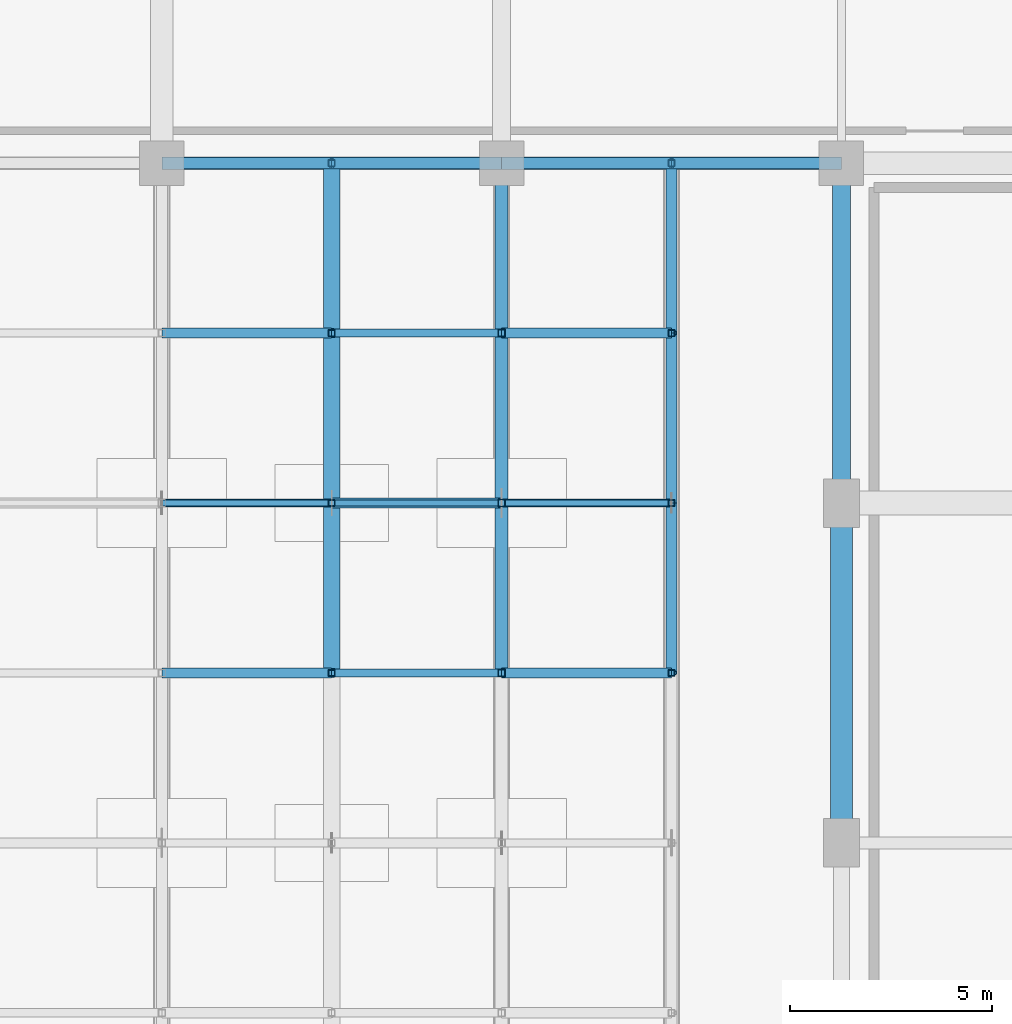
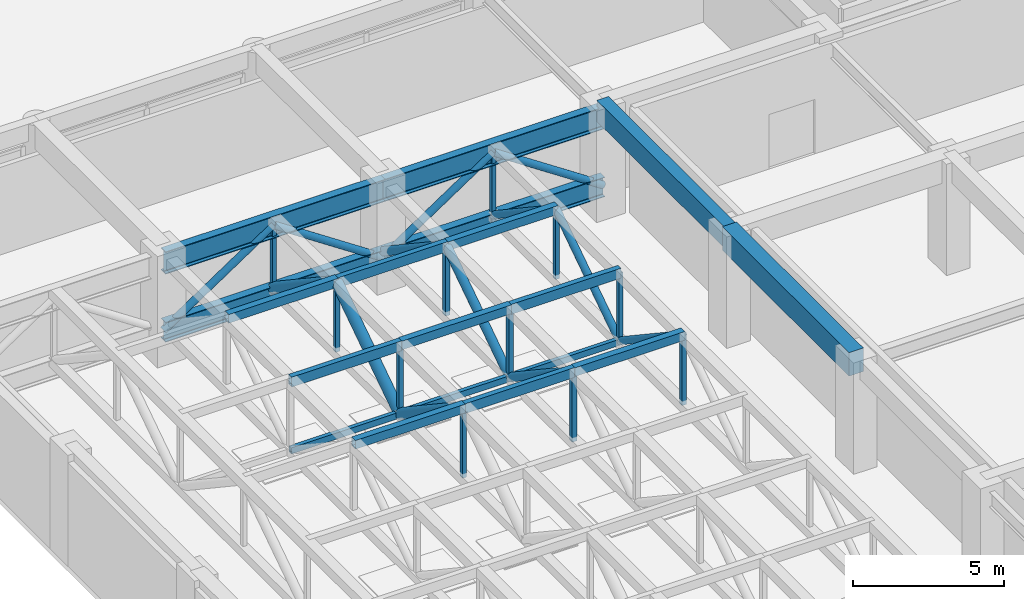
# One storey, part 25 of 47: 36 members, 6 beams.
"""IFC4 building model written with IfcOpenShell, lengths in metres."""

import ifcopenshell
import ifcopenshell.guid

model = None  # the IFC model being written
_history = None  # IfcOwnerHistory: only IFC2X3 demands one
_inside = {}  # id of a spatial element -> (the spatial element, [elements in it])
_under = {}  # id of a project, library or spatial element -> (it, [spatial elements below it])
_declared = {}  # id of a project -> (the project, [libraries it declares])
_typed = {}  # id of a type object -> (the type object, [elements of that type])
_made_of = {}  # id of a material, layer set ... -> (it, [elements and type objects made of it])


def new_model(schema):
    """Start an empty IFC model of exactly this schema.

    Asked for "IFC4X3", IfcOpenShell would pick the latest addendum, in which some entities
    have other attributes; the version numbers below select the first issue.
    IFC2X3 requires an IfcOwnerHistory on every rooted entity: one is made here for all.
    """
    global model, _history
    if schema == "IFC4X3":
        model = ifcopenshell.file(schema_version=(4, 3, 0, 0))
    else:
        model = ifcopenshell.file(schema=schema)
    _inside.clear()
    _under.clear()
    _declared.clear()
    _typed.clear()
    _made_of.clear()
    _history = None
    if model.schema == "IFC2X3":
        org = make("IfcOrganization", Name="unknown")
        user = make(
            "IfcPersonAndOrganization",
            ThePerson=make("IfcPerson", FamilyName="unknown"),
            TheOrganization=org,
        )
        app = make(
            "IfcApplication",
            ApplicationDeveloper=org,
            Version="unknown",
            ApplicationFullName="unknown",
            ApplicationIdentifier="unknown",
        )
        _history = make(
            "IfcOwnerHistory",
            OwningUser=user,
            OwningApplication=app,
            ChangeAction="ADDED",
            CreationDate=0,
        )
    return model


def make(cls, **values):
    """One entity of the class cls with the attributes given. An attribute that is None is left unset."""
    return model.create_entity(
        cls, **{name: value for name, value in values.items() if value is not None}
    )


def rooted(cls, **values):
    """An entity with a GlobalId (a new one), such as an element, a storey or a relation."""
    return make(cls, GlobalId=ifcopenshell.guid.new(), OwnerHistory=_history, **values)


def si_unit(unit_type, name, prefix=None):
    """IfcSIUnit, for example si_unit("LENGTHUNIT", "METRE", prefix="MILLI")."""
    return make("IfcSIUnit", UnitType=unit_type, Prefix=prefix, Name=name)


def assignment(units):
    """IfcUnitAssignment: the units of a project."""
    return None if units is None else make("IfcUnitAssignment", Units=units)


def point(xyz):
    """IfcCartesianPoint."""
    return None if xyz is None else make("IfcCartesianPoint", Coordinates=xyz)


def direction(xyz):
    """IfcDirection."""
    return None if xyz is None else make("IfcDirection", DirectionRatios=xyz)


def frame(location, z_axis=None, x_axis=None):
    """IfcAxis2Placement3D, a coordinate frame: its origin and axes. An axis left out is left unset."""
    return make(
        "IfcAxis2Placement3D",
        Location=point(location),
        Axis=direction(z_axis),
        RefDirection=direction(x_axis),
    )


def frame_2d(location, x_axis=None):
    """IfcAxis2Placement2D, a coordinate frame in the plane: its origin and x axis."""
    return make(
        "IfcAxis2Placement2D", Location=point(location), RefDirection=direction(x_axis)
    )


def origin():
    """The frame at (0, 0, 0) with its axes left unset."""
    return frame((0.0, 0.0, 0.0))


def origin_2d():
    """The frame at (0, 0) in the plane with its x axis left unset."""
    return frame_2d((0.0, 0.0))


def place(relative_to, where):
    """IfcLocalPlacement: puts the frame where relative to a parent placement (None: the world)."""
    return make(
        "IfcLocalPlacement", PlacementRelTo=relative_to, RelativePlacement=where
    )


def context(
    kind, dimensions, precision=None, world=None, true_north=None, identifier=None
):
    """IfcGeometricRepresentationContext, for example the 3D "Model" context."""
    return make(
        "IfcGeometricRepresentationContext",
        ContextIdentifier=identifier,
        ContextType=kind,
        CoordinateSpaceDimension=dimensions,
        Precision=precision,
        WorldCoordinateSystem=world,
        TrueNorth=true_north,
    )


def subcontext(parent, identifier, kind, view, scale=None):
    """IfcGeometricRepresentationSubContext, for example "Body" below "Model"."""
    return make(
        "IfcGeometricRepresentationSubContext",
        ContextIdentifier=identifier,
        ContextType=kind,
        ParentContext=parent,
        TargetScale=scale,
        TargetView=view,
    )


def project(units=None, contexts=None):
    """IfcProject with its units and contexts."""
    return rooted(
        "IfcProject",
        Name="project",
        RepresentationContexts=contexts,
        UnitsInContext=assignment(units),
    )


def spatial(cls, under=None, at=None, **own):
    """A site, building, storey or space (cls), placed at a placement, below another one or the project."""
    s = rooted(cls, ObjectPlacement=at, **own)
    if under is not None:
        _under.setdefault(under.id(), (under, []))[1].append(s)
    return s


def profile(cls, at=None, kind="AREA", **sizes):
    """A parametric profile (cls). Its sizes go by their IFC names, for example OverallWidth=200.0."""
    return make(cls, ProfileType=kind, Position=at, **sizes)


def rectangle(**sizes):
    """IfcRectangleProfileDef."""
    return profile("IfcRectangleProfileDef", **sizes)


def hollow_rectangle(**sizes):
    """IfcRectangleHollowProfileDef."""
    return profile("IfcRectangleHollowProfileDef", **sizes)


def hollow_circle(**sizes):
    """IfcCircleHollowProfileDef."""
    return profile("IfcCircleHollowProfileDef", **sizes)


def i_section(**sizes):
    """IfcIShapeProfileDef."""
    return profile("IfcIShapeProfileDef", **sizes)


def extrude(swept, where, along, depth):
    """IfcExtrudedAreaSolid: the profile swept, set in the frame where, extruded along a direction by depth."""
    return make(
        "IfcExtrudedAreaSolid",
        SweptArea=swept,
        Position=where,
        ExtrudedDirection=direction(along),
        Depth=depth,
    )


def shape(context_of_items, identifier, shape_type, items):
    """IfcShapeRepresentation: the items that make up one representation, for example the "Body"."""
    return make(
        "IfcShapeRepresentation",
        ContextOfItems=context_of_items,
        RepresentationIdentifier=identifier,
        RepresentationType=shape_type,
        Items=items,
    )


def material(Name=None, Category=None):
    """IfcMaterial."""
    return make("IfcMaterial", Name=Name, Category=Category)


def material_profile(
    of_material, cross_section, Name=None, Category=None, Priority=None
):
    """IfcMaterialProfile: a cross section and its material."""
    return make(
        "IfcMaterialProfile",
        Name=Name,
        Material=of_material,
        Profile=cross_section,
        Priority=Priority,
        Category=Category,
    )


def profile_set(profiles, Name=None, composite=None):
    """IfcMaterialProfileSet."""
    return make(
        "IfcMaterialProfileSet",
        Name=Name,
        MaterialProfiles=profiles,
        CompositeProfile=composite,
    )


def made_of(thing, what):
    """Note that an element or type object is made of a material, layer set ...; save() writes the relation."""
    if what is not None:
        _made_of.setdefault(what.id(), (what, []))[1].append(thing)
    return thing


def type_object(cls, material=None, **own):
    """A type object (cls), such as IfcWallType, which elements share."""
    return made_of(rooted(cls, **own), material)


def element(
    cls,
    number,
    at=None,
    inside=None,
    cuts=None,
    type_object=None,
    material=None,
    context=None,
    identifier="Body",
    shape_type=None,
    held_by="IfcProductDefinitionShape",
    body=None,
    shapes=None,
    **own,
):
    """One element of the class cls, such as IfcWall. Its Tag is "e" and its number.

    at: its placement. inside: the storey or other place that contains it. cuts: it is an
    opening in that element (IfcRelVoidsElement). A single representation is given by context,
    identifier, shape_type and body (its items); several are given by shapes. held_by: the class
    of the entity that holds the representations. save() writes the other relations.
    """
    e = rooted(cls, Tag="e%d" % number, ObjectPlacement=at, **own)
    if body is not None:
        shapes = [shape(context, identifier, shape_type, body)]
    if shapes is not None:
        e.Representation = make(held_by, Representations=shapes)
    if inside is not None:
        _inside.setdefault(inside.id(), (inside, []))[1].append(e)
    if cuts is not None:
        rooted(
            "IfcRelVoidsElement", RelatingBuildingElement=cuts, RelatedOpeningElement=e
        )
    if type_object is not None:
        _typed.setdefault(type_object.id(), (type_object, []))[1].append(e)
    return made_of(e, material)


def aggregate(whole, parts):
    """IfcRelAggregates: a whole, such as a stair, and the parts it consists of."""
    return rooted("IfcRelAggregates", RelatingObject=whole, RelatedObjects=parts)


def save(model, path):
    """Write the relations noted so far, then the file.

    IfcRelAggregates (storeys below a building ...), IfcRelContainedInSpatialStructure (elements
    in a storey), IfcRelDefinesByType, IfcRelAssociatesMaterial and IfcRelDeclares: one each for
    every whole, place, type object, material and project.
    """
    for whole, parts in _under.values():
        aggregate(whole, parts)
    for where, things in _inside.values():
        rooted(
            "IfcRelContainedInSpatialStructure",
            RelatedElements=things,
            RelatingStructure=where,
        )
    for kind, things in _typed.values():
        rooted("IfcRelDefinesByType", RelatedObjects=things, RelatingType=kind)
    for what, things in _made_of.values():
        rooted("IfcRelAssociatesMaterial", RelatedObjects=things, RelatingMaterial=what)
    for by, libraries in _declared.values():
        rooted("IfcRelDeclares", RelatingContext=by, RelatedDefinitions=libraries)
    model.write(path)


model = new_model("IFC4")

# Units and contexts
model_context = context("Model", 3, precision=1e-05, world=origin(), true_north=direction((0.0, 1.0)))
body_context = subcontext(model_context, "Body", "Model", "MODEL_VIEW")
ifc_project = project(units=[si_unit("LENGTHUNIT", "METRE"), si_unit("AREAUNIT", "SQUARE_METRE"), si_unit("VOLUMEUNIT", "CUBIC_METRE"), si_unit("PLANEANGLEUNIT", "RADIAN"), si_unit("MASSUNIT", "GRAM", prefix="KILO")], contexts=[model_context])

# Site, building, storey
site_placement = place(None, origin())
site = spatial("IfcSite", under=ifc_project, at=site_placement, CompositionType="ELEMENT")
building_placement = place(site_placement, origin())
building = spatial("IfcBuilding", under=site, at=building_placement, Name="Xuanlan Plaza Opera House", CompositionType="ELEMENT")
storey_placement = place(building_placement, frame((0.0, 0.0, 23.39990234375)))
storey = spatial("IfcBuildingStorey", under=building, at=storey_placement, Name="L05", CompositionType="ELEMENT", Elevation=23.39990234375)

# Beams
ifc_material_1 = material(Name="Concrete C50", Category="concrete")
ifc_material_profile_1 = material_profile(ifc_material_1, rectangle(XDim=0.550048828125, YDim=0.949951171875, at=origin_2d()), Name="RC-BM 550x950")
ifc_profile_set_1 = profile_set([ifc_material_profile_1], Name="Concrete C50")
beam_type_1 = type_object("IfcBeamType", Name="STR-BM-B-02", PredefinedType="BEAM", material=ifc_profile_set_1)
beam_1_placement = place(storey_placement, frame((92.39990234375, 58.800048828125, 4.025146484375), z_axis=(0.0, 1.0, 0.0), x_axis=(-1.0, 0.0, 0.0)))
element("IfcBeam", 1, at=beam_1_placement, inside=storey, type_object=beam_type_1, Name="Grid Beam Y L05 12/H-I", PredefinedType="BEAM", context=body_context, shape_type="SweptSolid", body=[
    extrude(rectangle(XDim=0.550048828125, YDim=0.949951171875, at=origin_2d()), origin(), (0.0, 0.0, 1.0), 8.39990234375),
])
ifc_material_2 = material(Name="Concrete C40", Category="concrete")
ifc_material_profile_2 = material_profile(ifc_material_2, rectangle(XDim=0.449951171875, YDim=0.85009765625, at=origin_2d()), Name="RC-BM 450x850")
ifc_profile_set_2 = profile_set([ifc_material_profile_2], Name="Concrete C40")
beam_type_2 = type_object("IfcBeamType", Name="STR-BM-B-04", PredefinedType="BEAM", material=ifc_profile_set_2)
beam_2_placement = place(storey_placement, frame((92.39990234375, 67.199951171875, 4.0751953125), z_axis=(0.0, 1.0, 0.0), x_axis=(-1.0, 0.0, 0.0)))
element("IfcBeam", 2, at=beam_2_placement, inside=storey, type_object=beam_type_2, Name="Grid Beam Y L05 12/I-J", PredefinedType="BEAM", context=body_context, shape_type="SweptSolid", body=[
    extrude(rectangle(XDim=0.449951171875, YDim=0.85009765625, at=origin_2d()), origin(), (0.0, 0.0, 1.0), 8.400146484375),
])
ifc_material_3 = material(Name="Steel Q390B", Category="steel")
ifc_material_profile_3 = material_profile(ifc_material_3, i_section(OverallWidth=0.300048828125, OverallDepth=0.89990234375, WebThickness=0.01611328125, FlangeThickness=0.028076171875, FilletRadius=0.028076171875, at=origin_2d()), Name="HN 900x300x16x28")
ifc_profile_set_3 = profile_set([ifc_material_profile_3], Name="Steel Q390B")
beam_type_3 = type_object("IfcBeamType", Name="STR-BM-SB-01", PredefinedType="BEAM", material=ifc_profile_set_3)
for number, where, z_axis, x_axis, name in (
    (3, (75.60009765625, 75.60009765625, 3.80908203125), (1.0, 0.0, 0.0), (0.0, 1.0, 0.0), "Auditorium Collector Truss N Top Chord Bay 2"),
    (4, (84.0, 75.60009765625, 3.80908203125), (1.0, 0.0, 0.0), (0.0, 1.0, 0.0), "Auditorium Collector Truss N Top Chord Bay 3"),
):
    element("IfcBeam", number, at=place(storey_placement, frame(where, z_axis=z_axis, x_axis=x_axis)), inside=storey, type_object=beam_type_3, Name=name, PredefinedType="BEAM", context=body_context, shape_type="SweptSolid", body=[
        extrude(i_section(OverallWidth=0.300048828125, OverallDepth=0.89990234375, WebThickness=0.01611328125, FlangeThickness=0.028076171875, FilletRadius=0.028076171875, at=origin_2d()), origin(), (0.0, 0.0, 1.0), 8.39990234375),
    ])
ifc_material_profile_4 = material_profile(ifc_material_3, i_section(OverallWidth=0.300048828125, OverallDepth=0.800048828125, WebThickness=0.013916015625, FlangeThickness=0.02587890625, FilletRadius=0.02587890625, at=origin_2d()), Name="HN 800x300x14x26")
ifc_profile_set_4 = profile_set([ifc_material_profile_4], Name="Steel Q390B")
beam_type_4 = type_object("IfcBeamType", Name="STR-BM-SB-02", PredefinedType="BEAM", material=ifc_profile_set_4)
for number, where, z_axis, x_axis, name in (
    (5, (75.60009765625, 75.60009765625, 1.009033203125), (1.0, 0.0, 0.0), (0.0, 1.0, 0.0), "Auditorium Collector Truss N Bottom Chord Bay 2"),
    (6, (84.0, 75.60009765625, 1.009033203125), (1.0, 0.0, 0.0), (0.0, 1.0, 0.0), "Auditorium Collector Truss N Bottom Chord Bay 3"),
):
    element("IfcBeam", number, at=place(storey_placement, frame(where, z_axis=z_axis, x_axis=x_axis)), inside=storey, type_object=beam_type_4, Name=name, PredefinedType="BEAM", context=body_context, shape_type="SweptSolid", body=[
        extrude(i_section(OverallWidth=0.300048828125, OverallDepth=0.800048828125, WebThickness=0.013916015625, FlangeThickness=0.02587890625, FilletRadius=0.02587890625, at=origin_2d()), origin(), (0.0, 0.0, 1.0), 8.39990234375),
    ])

# Members
ifc_material_profile_5 = material_profile(ifc_material_3, hollow_circle(Radius=0.203125, WallThickness=0.01611328125, at=origin_2d()), Name="CHS 406.4x16")
ifc_profile_set_5 = profile_set([ifc_material_profile_5], Name="Steel Q390B")
member_type_1 = type_object("IfcMemberType", Name="STR-MEM-BR-01", PredefinedType="BRACE", material=ifc_profile_set_5)
for number, where, z_axis, x_axis, name in (
    (7, (79.800048828125, 63.0, 4.05908203125), (0.0, 0.832042853317, -0.554711357594), (-1.0, 0.0, 0.0), "Auditorium Roof Truss AUD-03 Web Diagonal 6"),
    (8, (79.800048828125, 67.199951171875, 1.259033203125), (0.0, 0.832042853317, 0.554711357594), (-1.0, 0.0, 0.0), "Auditorium Roof Truss AUD-03 Web Diagonal 7"),
    (9, (79.800048828125, 71.39990234375, 4.05908203125), (0.0, 0.832057734909, -0.554689035206), (-1.0, 0.0, 0.0), "Auditorium Roof Truss AUD-03 Web Diagonal 8"),
):
    element("IfcMember", number, at=place(storey_placement, frame(where, z_axis=z_axis, x_axis=x_axis)), inside=storey, type_object=member_type_1, Name=name, PredefinedType="BRACE", context=body_context, shape_type="SweptSolid", body=[
        extrude(hollow_circle(Radius=0.203125, WallThickness=0.01611328125, at=origin_2d()), origin(), (0.0, 0.0, 1.0), 5.0478515625),
    ])
ifc_material_4 = material(Name="Steel Q355B", Category="steel")
ifc_material_profile_6 = material_profile(ifc_material_4, hollow_circle(Radius=0.161865234375, WallThickness=0.013916015625, at=origin_2d()), Name="CHS 323.9x14")
ifc_profile_set_6 = profile_set([ifc_material_profile_6], Name="Steel Q355B")
member_type_2 = type_object("IfcMemberType", Name="STR-MEM-BR-03", PredefinedType="BRACE", material=ifc_profile_set_6)
for number, where, z_axis, x_axis, name in (
    (10, (84.0, 63.0, 4.05908203125), (0.0, 0.832042853317, -0.554711357594), (-1.0, 0.0, 0.0), "Auditorium Roof Truss AUD-04 Web Diagonal 6"),
    (11, (84.0, 67.199951171875, 1.259033203125), (0.0, 0.832042853317, 0.554711357594), (-1.0, 0.0, 0.0), "Auditorium Roof Truss AUD-04 Web Diagonal 7"),
    (12, (84.0, 71.39990234375, 4.05908203125), (0.0, 0.832057734909, -0.554689035206), (-1.0, 0.0, 0.0), "Auditorium Roof Truss AUD-04 Web Diagonal 8"),
):
    element("IfcMember", number, at=place(storey_placement, frame(where, z_axis=z_axis, x_axis=x_axis)), inside=storey, type_object=member_type_2, Name=name, PredefinedType="BRACE", context=body_context, shape_type="SweptSolid", body=[
        extrude(hollow_circle(Radius=0.161865234375, WallThickness=0.013916015625, at=origin_2d()), origin(), (0.0, 0.0, 1.0), 5.0478515625),
    ])
ifc_material_profile_7 = material_profile(ifc_material_4, hollow_circle(Radius=0.136474609375, WallThickness=0.011962890625, at=origin_2d()), Name="CHS 273x12")
ifc_profile_set_7 = profile_set([ifc_material_profile_7], Name="Steel Q355B")
member_type_3 = type_object("IfcMemberType", Name="STR-MEM-BR-04", PredefinedType="BRACE", material=ifc_profile_set_7)
for number, where, z_axis, x_axis, name in (
    (13, (75.60009765625, 75.60009765625, 1.009033203125), (0.832042853317, 0.0, 0.554711357594), (0.0, 1.0, 0.0), "Auditorium Collector Truss N Web Diagonal 3"),
    (14, (79.800048828125, 75.60009765625, 3.80908203125), (0.832042853317, 0.0, -0.554711357594), (0.0, 1.0, 0.0), "Auditorium Collector Truss N Web Diagonal 4"),
    (15, (84.0, 75.60009765625, 1.009033203125), (0.832042853317, 0.0, 0.554711357594), (0.0, 1.0, 0.0), "Auditorium Collector Truss N Web Diagonal 5"),
    (16, (88.199951171875, 75.60009765625, 3.80908203125), (0.832042853317, 0.0, -0.554711357594), (0.0, 1.0, 0.0), "Auditorium Collector Truss N Web Diagonal 6"),
    (17, (88.199951171875, 63.0, 4.05908203125), (0.0, 0.832042853317, -0.554711357594), (-1.0, 0.0, 0.0), "Auditorium Roof Truss AUD-05 Web Diagonal 6"),
    (18, (88.199951171875, 67.199951171875, 1.259033203125), (0.0, 0.832042853317, 0.554711357594), (-1.0, 0.0, 0.0), "Auditorium Roof Truss AUD-05 Web Diagonal 7"),
    (19, (88.199951171875, 71.39990234375, 4.05908203125), (0.0, 0.832057734909, -0.554689035206), (-1.0, 0.0, 0.0), "Auditorium Roof Truss AUD-05 Web Diagonal 8"),
):
    element("IfcMember", number, at=place(storey_placement, frame(where, z_axis=z_axis, x_axis=x_axis)), inside=storey, type_object=member_type_3, Name=name, PredefinedType="BRACE", context=body_context, shape_type="SweptSolid", body=[
        extrude(hollow_circle(Radius=0.136474609375, WallThickness=0.011962890625, at=origin_2d()), origin(), (0.0, 0.0, 1.0), 5.0478515625),
    ])
ifc_material_profile_8 = material_profile(ifc_material_4, hollow_rectangle(XDim=0.14990234375, YDim=0.25, WallThickness=0.010009765625, at=origin_2d()), Name="RHS 250x150x10")
ifc_profile_set_8 = profile_set([ifc_material_profile_8], Name="Steel Q355B")
member_type_4 = type_object("IfcMemberType", Name="STR-MEM-CL-M2", PredefinedType="COLLAR", material=ifc_profile_set_8)
for number, where, z_axis, x_axis, name in (
    (20, (75.60009765625, 67.199951171875, 1.259033203125), (1.0, 0.0, 0.0), (0.0, 1.0, 0.0), "Auditorium Truss Bottom Tie 2-7"),
    (21, (79.800048828125, 67.199951171875, 1.259033203125), (1.0, 0.0, 0.0), (0.0, 1.0, 0.0), "Auditorium Truss Bottom Tie 3-7"),
    (22, (84.0, 67.199951171875, 1.259033203125), (1.0, 0.0, 0.0), (0.0, 1.0, 0.0), "Auditorium Truss Bottom Tie 4-7"),
):
    element("IfcMember", number, at=place(storey_placement, frame(where, z_axis=z_axis, x_axis=x_axis)), inside=storey, type_object=member_type_4, Name=name, PredefinedType="COLLAR", context=body_context, shape_type="SweptSolid", body=[
        extrude(hollow_rectangle(XDim=0.14990234375, YDim=0.25, WallThickness=0.010009765625, at=origin_2d()), origin(), (0.0, 0.0, 1.0), 4.199951171875),
    ])
ifc_material_profile_9 = material_profile(ifc_material_4, hollow_rectangle(XDim=0.25, YDim=0.35009765625, WallThickness=0.011962890625, at=origin_2d()), Name="RHS 350x250x12")
ifc_profile_set_9 = profile_set([ifc_material_profile_9], Name="Steel Q355B")
member_type_5 = type_object("IfcMemberType", Name="STR-MEM-PR-03", PredefinedType="PURLIN", material=ifc_profile_set_9)
for number, where, z_axis, x_axis, name in (
    (23, (75.60009765625, 63.0, 4.083984375), (1.0, 0.0, 0.0), (0.0, 1.0, 0.0), "Auditorium Shell Roof Purlin 2-6"),
    (24, (75.60009765625, 71.39990234375, 4.083984375), (1.0, 0.0, 0.0), (0.0, 1.0, 0.0), "Auditorium Shell Roof Purlin 2-8"),
    (25, (79.800048828125, 67.199951171875, 4.083984375), (1.0, 0.0, 0.0), (0.0, 1.0, 0.0), "Auditorium Shell Roof Purlin 3-7"),
    (26, (84.0, 63.0, 4.083984375), (1.0, 0.0, 0.0), (0.0, 1.0, 0.0), "Auditorium Shell Roof Purlin 4-6"),
    (27, (84.0, 71.39990234375, 4.083984375), (1.0, 0.0, 0.0), (0.0, 1.0, 0.0), "Auditorium Shell Roof Purlin 4-8"),
):
    element("IfcMember", number, at=place(storey_placement, frame(where, z_axis=z_axis, x_axis=x_axis)), inside=storey, type_object=member_type_5, Name=name, PredefinedType="PURLIN", context=body_context, shape_type="SweptSolid", body=[
        extrude(hollow_rectangle(XDim=0.25, YDim=0.35009765625, WallThickness=0.011962890625, at=origin_2d()), origin(), (0.0, 0.0, 1.0), 4.199951171875),
    ])
ifc_material_profile_10 = material_profile(ifc_material_4, hollow_rectangle(XDim=0.199951171875, YDim=0.39990234375, WallThickness=0.013916015625, at=origin_2d()), Name="RHS 400x200x14")
ifc_profile_set_10 = profile_set([ifc_material_profile_10], Name="Steel Q355B")
member_type_6 = type_object("IfcMemberType", Name="STR-MEM-PR-04", PredefinedType="PURLIN", material=ifc_profile_set_10)
for number, where, z_axis, x_axis, name in (
    (28, (75.60009765625, 67.199951171875, 4.05908203125), (1.0, 0.0, 0.0), (0.0, 1.0, 0.0), "Auditorium Shell Roof Purlin 2-7"),
    (29, (79.800048828125, 63.0, 4.05908203125), (1.0, 0.0, 0.0), (0.0, 1.0, 0.0), "Auditorium Shell Roof Purlin 3-6"),
    (30, (79.800048828125, 71.39990234375, 4.05908203125), (1.0, 0.0, 0.0), (0.0, 1.0, 0.0), "Auditorium Shell Roof Purlin 3-8"),
    (31, (84.0, 67.199951171875, 4.05908203125), (1.0, 0.0, 0.0), (0.0, 1.0, 0.0), "Auditorium Shell Roof Purlin 4-7"),
):
    element("IfcMember", number, at=place(storey_placement, frame(where, z_axis=z_axis, x_axis=x_axis)), inside=storey, type_object=member_type_6, Name=name, PredefinedType="PURLIN", context=body_context, shape_type="SweptSolid", body=[
        extrude(hollow_rectangle(XDim=0.199951171875, YDim=0.39990234375, WallThickness=0.013916015625, at=origin_2d()), origin(), (0.0, 0.0, 1.0), 4.199951171875),
    ])
ifc_material_profile_11 = material_profile(ifc_material_4, hollow_rectangle(XDim=0.179931640625, YDim=0.179931640625, WallThickness=0.010009765625, at=origin_2d()), Name="SHS 180x180x10")
ifc_profile_set_11 = profile_set([ifc_material_profile_11], Name="Steel Q355B")
member_type_7 = type_object("IfcMemberType", Name="STR-MEM-ST-M2", PredefinedType="STRUT", material=ifc_profile_set_11)
for number, where, z_axis, x_axis, name in (
    (32, (84.0, 63.0, 1.259033203125), (0.0, 0.0, 1.0), (1.0, 0.0, 0.0), "Auditorium Roof Truss AUD-04 Vertical Strut 5"),
    (33, (84.0, 67.199951171875, 1.259033203125), (0.0, 0.0, 1.0), (1.0, 0.0, 0.0), "Auditorium Roof Truss AUD-04 Vertical Strut 6"),
    (34, (84.0, 71.39990234375, 1.259033203125), (0.0, 0.0, 1.0), (1.0, 0.0, 0.0), "Auditorium Roof Truss AUD-04 Vertical Strut 7"),
):
    element("IfcMember", number, at=place(storey_placement, frame(where, z_axis=z_axis, x_axis=x_axis)), inside=storey, type_object=member_type_7, Name=name, PredefinedType="STRUT", context=body_context, shape_type="SweptSolid", body=[
        extrude(hollow_rectangle(XDim=0.179931640625, YDim=0.179931640625, WallThickness=0.010009765625, at=origin_2d()), origin(), (0.0, 0.0, 1.0), 2.800048828125),
    ])
ifc_material_profile_12 = material_profile(ifc_material_4, hollow_rectangle(XDim=0.159912109375, YDim=0.159912109375, WallThickness=0.008056640625, at=origin_2d()), Name="SHS 160x160x8")
ifc_profile_set_12 = profile_set([ifc_material_profile_12], Name="Steel Q355B")
member_type_8 = type_object("IfcMemberType", Name="STR-MEM-ST-M3", PredefinedType="STRUT", material=ifc_profile_set_12)
for number, where, z_axis, x_axis, name in (
    (35, (79.800048828125, 75.60009765625, 1.009033203125), (0.0, 0.0, 1.0), (1.0, 0.0, 0.0), "Auditorium Collector Truss N Panel Vertical 2"),
    (36, (88.199951171875, 75.60009765625, 1.009033203125), (0.0, 0.0, 1.0), (1.0, 0.0, 0.0), "Auditorium Collector Truss N Panel Vertical 3"),
    (37, (79.800048828125, 63.0, 1.259033203125), (0.0, 0.0, 1.0), (1.0, 0.0, 0.0), "Auditorium Roof Truss AUD-03 Vertical Strut 5"),
    (38, (79.800048828125, 67.199951171875, 1.259033203125), (0.0, 0.0, 1.0), (1.0, 0.0, 0.0), "Auditorium Roof Truss AUD-03 Vertical Strut 6"),
    (39, (79.800048828125, 71.39990234375, 1.259033203125), (0.0, 0.0, 1.0), (1.0, 0.0, 0.0), "Auditorium Roof Truss AUD-03 Vertical Strut 7"),
    (40, (88.199951171875, 63.0, 1.259033203125), (0.0, 0.0, 1.0), (1.0, 0.0, 0.0), "Auditorium Roof Truss AUD-05 Vertical Strut 5"),
    (41, (88.199951171875, 67.199951171875, 1.259033203125), (0.0, 0.0, 1.0), (1.0, 0.0, 0.0), "Auditorium Roof Truss AUD-05 Vertical Strut 6"),
    (42, (88.199951171875, 71.39990234375, 1.259033203125), (0.0, 0.0, 1.0), (1.0, 0.0, 0.0), "Auditorium Roof Truss AUD-05 Vertical Strut 7"),
):
    element("IfcMember", number, at=place(storey_placement, frame(where, z_axis=z_axis, x_axis=x_axis)), inside=storey, type_object=member_type_8, Name=name, PredefinedType="STRUT", context=body_context, shape_type="SweptSolid", body=[
        extrude(hollow_rectangle(XDim=0.159912109375, YDim=0.159912109375, WallThickness=0.008056640625, at=origin_2d()), origin(), (0.0, 0.0, 1.0), 2.800048828125),
    ])

save(model, "model.ifc")
